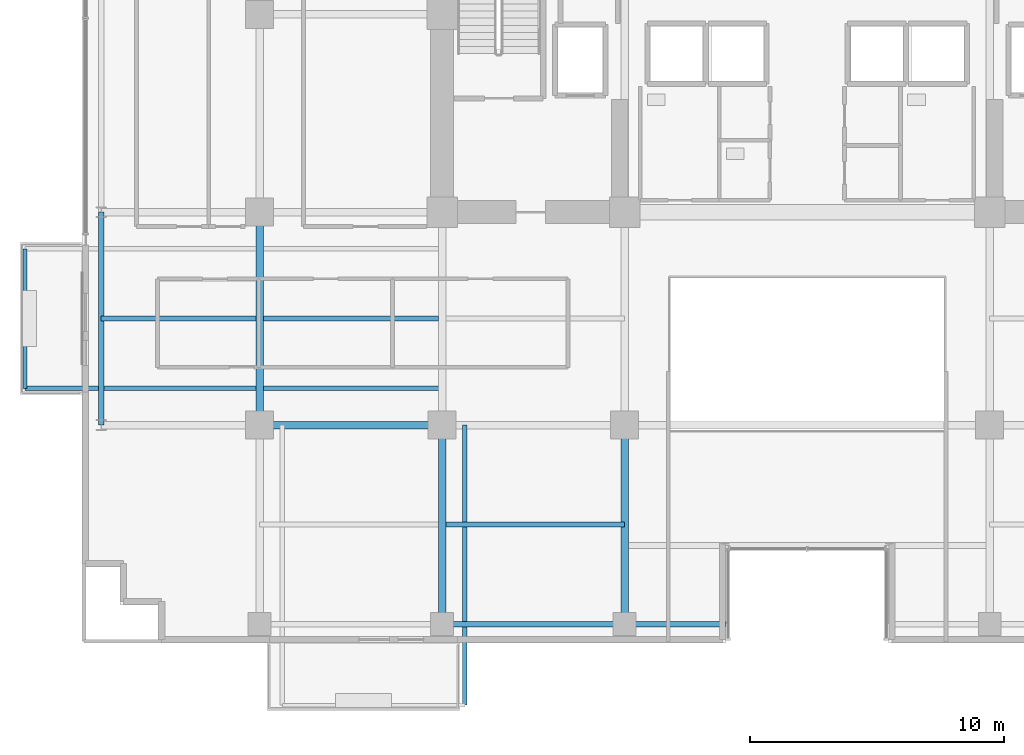
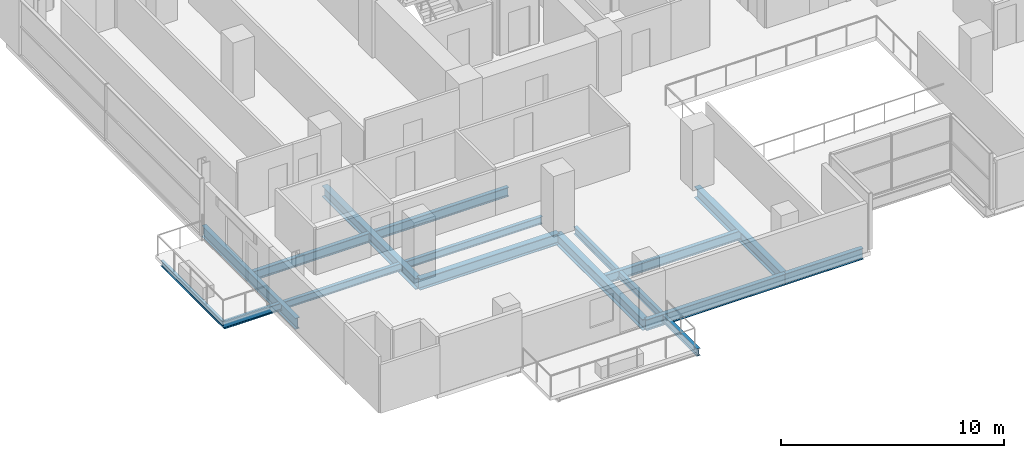
# One storey, part 2 of 31: 13 beams.
"""IFC4 building model written with IfcOpenShell, lengths in metres."""

from ifc_helpers import new_model, si_unit, direction, frame, origin, origin_2d, place, context, subcontext, project, spatial, i_section, extrude, material, material_profile, profile_set, type_object, element, save


model = new_model("IFC4")

# Units and contexts
model_context = context("Model", 3, precision=1e-05, world=origin(), true_north=direction((0.0, 1.0)))
body_context = subcontext(model_context, "Body", "Model", "MODEL_VIEW")
ifc_project = project(units=[si_unit("LENGTHUNIT", "METRE"), si_unit("AREAUNIT", "SQUARE_METRE"), si_unit("VOLUMEUNIT", "CUBIC_METRE"), si_unit("PLANEANGLEUNIT", "RADIAN"), si_unit("MASSUNIT", "GRAM", prefix="KILO")], contexts=[model_context])

# Site, building, storey
site_placement = place(None, origin())
site = spatial("IfcSite", under=ifc_project, at=site_placement, CompositionType="ELEMENT")
building_placement = place(site_placement, origin())
building = spatial("IfcBuilding", under=site, at=building_placement, Name="Zarnakvel Exchange Tower", CompositionType="ELEMENT")
storey_placement = place(building_placement, frame((0.0, 0.0, 67.0)))
storey = spatial("IfcBuildingStorey", under=building, at=storey_placement, Name="L18", CompositionType="ELEMENT", Elevation=67.0)

# Beams
ifc_material = material(Name="Steel S355", Category="steel")
ifc_material_profile_1 = material_profile(ifc_material, i_section(OverallWidth=0.199951171875, OverallDepth=0.5, WebThickness=0.01025390625, FlangeThickness=0.01611328125, FilletRadius=0.02099609375, at=origin_2d()))
ifc_profile_set_1 = profile_set([ifc_material_profile_1], Name="Steel S355")
beam_type_1 = type_object("IfcBeamType", Name="B-04", PredefinedType="JOIST", material=ifc_profile_set_1)
beam_1_placement = place(storey_placement, frame((-14.25, -13.52490234375, -0.47509765625), z_axis=(1.0, 0.0, 0.0), x_axis=(0.0, 1.0, 0.0)))
element("IfcBeam", 1, at=beam_1_placement, inside=storey, type_object=beam_type_1, Name="L18 Composite Floor Secondary Joist", PredefinedType="JOIST", context=body_context, shape_type="SweptSolid", body=[
    extrude(i_section(OverallWidth=0.199951171875, OverallDepth=0.5, WebThickness=0.01025390625, FlangeThickness=0.01611328125, FilletRadius=0.02099609375, at=origin_2d()), origin(), (0.0, 0.0, 1.0), 7.050048828125),
])
beam_2_placement = place(storey_placement, frame((-27.85009765625, -5.39990234375, -0.47509765625), z_axis=(1.0, 0.0, 0.0), x_axis=(0.0, 1.0, 0.0)))
element("IfcBeam", 2, at=beam_2_placement, inside=storey, type_object=beam_type_1, Name="L18 Composite Floor Secondary Joist", PredefinedType="JOIST", context=body_context, shape_type="SweptSolid", body=[
    extrude(i_section(OverallWidth=0.199951171875, OverallDepth=0.5, WebThickness=0.01025390625, FlangeThickness=0.01611328125, FilletRadius=0.02099609375, at=origin_2d()), origin(), (0.0, 0.0, 1.0), 6.10009765625),
])
beam_3_placement = place(storey_placement, frame((-21.449951171875, -5.39990234375, -0.47509765625), z_axis=(1.0, 0.0, 0.0), x_axis=(0.0, 1.0, 0.0)))
element("IfcBeam", 3, at=beam_3_placement, inside=storey, type_object=beam_type_1, Name="L18 Composite Floor Secondary Joist", PredefinedType="JOIST", context=body_context, shape_type="SweptSolid", body=[
    extrude(i_section(OverallWidth=0.199951171875, OverallDepth=0.5, WebThickness=0.01025390625, FlangeThickness=0.01611328125, FilletRadius=0.02099609375, at=origin_2d()), origin(), (0.0, 0.0, 1.0), 6.89990234375),
])
ifc_material_profile_2 = material_profile(ifc_material, i_section(OverallWidth=0.179931640625, OverallDepth=0.39990234375, WebThickness=0.008544921875, FlangeThickness=0.013427734375, FilletRadius=0.02099609375, at=origin_2d()))
ifc_profile_set_2 = profile_set([ifc_material_profile_2], Name="Steel S355")
beam_type_2 = type_object("IfcBeamType", Name="B-06", PredefinedType="JOIST", material=ifc_profile_set_2)
beam_4_placement = place(storey_placement, frame((-13.5, -9.60009765625, -0.425048828125), z_axis=(0.0, -1.0, 0.0), x_axis=(1.0, 0.0, 0.0)))
element("IfcBeam", 4, at=beam_4_placement, inside=storey, type_object=beam_type_2, Name="L18 Continuous Back-Spanned Balcony Beam E", PredefinedType="JOIST", context=body_context, shape_type="SweptSolid", body=[
    extrude(i_section(OverallWidth=0.179931640625, OverallDepth=0.39990234375, WebThickness=0.008544921875, FlangeThickness=0.013427734375, FilletRadius=0.02099609375, at=origin_2d()), origin(), (0.0, 0.0, 1.0), 11.0498046875),
])
beam_5_placement = place(storey_placement, frame((-14.39990234375, -8.14990234375, -0.425048828125), z_axis=(-1.0, 0.0, 0.0), x_axis=(0.0, -1.0, 0.0)))
element("IfcBeam", 5, at=beam_5_placement, inside=storey, type_object=beam_type_2, Name="L18 Continuous West Loggia Beam S", PredefinedType="JOIST", context=body_context, shape_type="SweptSolid", body=[
    extrude(i_section(OverallWidth=0.179931640625, OverallDepth=0.39990234375, WebThickness=0.008544921875, FlangeThickness=0.013427734375, FilletRadius=0.02099609375, at=origin_2d()), origin(), (0.0, 0.0, 1.0), 16.4501953125),
])
ifc_material_profile_3 = material_profile(ifc_material, i_section(OverallWidth=0.14990234375, OverallDepth=0.300048828125, WebThickness=0.007080078125, FlangeThickness=0.0107421875, FilletRadius=0.014892578125, at=origin_2d()))
ifc_profile_set_3 = profile_set([ifc_material_profile_3], Name="Steel S355")
beam_type_3 = type_object("IfcBeamType", Name="B-08", PredefinedType="JOIST", material=ifc_profile_set_3)
beam_6_placement = place(storey_placement, frame((-30.85009765625, -8.14990234375, -0.375), z_axis=(0.0, 1.0, 0.0), x_axis=(-1.0, 0.0, 0.0)))
element("IfcBeam", 6, at=beam_6_placement, inside=storey, type_object=beam_type_3, Name="L18 West Loggia Edge Beam", PredefinedType="JOIST", context=body_context, shape_type="SweptSolid", body=[
    extrude(i_section(OverallWidth=0.14990234375, OverallDepth=0.300048828125, WebThickness=0.007080078125, FlangeThickness=0.0107421875, FilletRadius=0.014892578125, at=origin_2d()), origin(), (0.0, 0.0, 1.0), 5.5),
])
ifc_material_profile_4 = material_profile(ifc_material, i_section(OverallWidth=0.300048828125, OverallDepth=0.60009765625, WebThickness=0.015380859375, FlangeThickness=0.030029296875, FilletRadius=0.027099609375, at=origin_2d()))
ifc_profile_set_4 = profile_set([ifc_material_profile_4], Name="Steel S355")
beam_type_4 = type_object("IfcBeamType", Name="G-04", PredefinedType="BEAM", material=ifc_profile_set_4)
beam_7_placement = place(storey_placement, frame((-21.60009765625, -9.60009765625, -0.52490234375), z_axis=(1.0, 0.0, 0.0), x_axis=(0.0, 1.0, 0.0)))
element("IfcBeam", 7, at=beam_7_placement, inside=storey, type_object=beam_type_4, Name="L18 Tower E-W Frame Beam", PredefinedType="BEAM", context=body_context, shape_type="SweptSolid", body=[
    extrude(i_section(OverallWidth=0.300048828125, OverallDepth=0.60009765625, WebThickness=0.015380859375, FlangeThickness=0.030029296875, FilletRadius=0.027099609375, at=origin_2d()), origin(), (0.0, 0.0, 1.0), 7.2001953125),
])
beam_8_placement = place(storey_placement, frame((-21.60009765625, -9.60009765625, -0.52490234375), z_axis=(0.0, 1.0, 0.0), x_axis=(-1.0, 0.0, 0.0)))
element("IfcBeam", 8, at=beam_8_placement, inside=storey, type_object=beam_type_4, Name="L18 Tower N-S Frame Beam", PredefinedType="BEAM", context=body_context, shape_type="SweptSolid", body=[
    extrude(i_section(OverallWidth=0.300048828125, OverallDepth=0.60009765625, WebThickness=0.015380859375, FlangeThickness=0.030029296875, FilletRadius=0.027099609375, at=origin_2d()), origin(), (0.0, 0.0, 1.0), 8.400146484375),
])
for number, where, z_axis, x_axis, name in (
    (9, (-14.39990234375, -17.449951171875, -0.52490234375), (0.0, 1.0, 0.0), (-1.0, 0.0, 0.0), "L18 Tower N-S Frame Beam"),
    (10, (-7.199951171875, -17.449951171875, -0.52490234375), (0.0, 1.0, 0.0), (-1.0, 0.0, 0.0), "L18 Tower N-S Frame Beam"),
):
    element("IfcBeam", number, at=place(storey_placement, frame(where, z_axis=z_axis, x_axis=x_axis)), inside=storey, type_object=beam_type_4, Name=name, PredefinedType="BEAM", context=body_context, shape_type="SweptSolid", body=[
        extrude(i_section(OverallWidth=0.300048828125, OverallDepth=0.60009765625, WebThickness=0.015380859375, FlangeThickness=0.030029296875, FilletRadius=0.027099609375, at=origin_2d()), origin(), (0.0, 0.0, 1.0), 7.849853515625),
    ])
ifc_material_profile_5 = material_profile(ifc_material, i_section(OverallWidth=0.219970703125, OverallDepth=0.60009765625, WebThickness=0.011962890625, FlangeThickness=0.01904296875, FilletRadius=0.02392578125, at=origin_2d()))
ifc_profile_set_5 = profile_set([ifc_material_profile_5], Name="Steel S355")
beam_type_5 = type_object("IfcBeamType", Name="SP-01", PredefinedType="SPANDREL", material=ifc_profile_set_5)
beam_9_placement = place(storey_placement, frame((-14.39990234375, -17.449951171875, -0.52490234375), z_axis=(1.0, 0.0, 0.0), x_axis=(0.0, 1.0, 0.0)))
element("IfcBeam", 11, at=beam_9_placement, inside=storey, type_object=beam_type_5, Name="L18 Tower E-W Frame Beam", PredefinedType="SPANDREL", context=body_context, shape_type="SweptSolid", body=[
    extrude(i_section(OverallWidth=0.219970703125, OverallDepth=0.60009765625, WebThickness=0.011962890625, FlangeThickness=0.01904296875, FilletRadius=0.02392578125, at=origin_2d()), origin(), (0.0, 0.0, 1.0), 7.199951171875),
])
beam_10_placement = place(storey_placement, frame((-7.199951171875, -17.449951171875, -0.52490234375), z_axis=(1.0, 0.0, 0.0), x_axis=(0.0, 1.0, 0.0)))
element("IfcBeam", 12, at=beam_10_placement, inside=storey, type_object=beam_type_5, Name="L18 South Slot West Jamb Spandrel", PredefinedType="SPANDREL", context=body_context, shape_type="SweptSolid", body=[
    extrude(i_section(OverallWidth=0.219970703125, OverallDepth=0.60009765625, WebThickness=0.011962890625, FlangeThickness=0.01904296875, FilletRadius=0.02392578125, at=origin_2d()), origin(), (0.0, 0.0, 1.0), 4.0),
])
beam_11_placement = place(storey_placement, frame((-27.85009765625, -9.60009765625, -0.52490234375), z_axis=(0.0, 1.0, 0.0), x_axis=(-1.0, 0.0, 0.0)))
element("IfcBeam", 13, at=beam_11_placement, inside=storey, type_object=beam_type_5, Name="L18 Tower N-S Frame Beam", PredefinedType="SPANDREL", context=body_context, shape_type="SweptSolid", body=[
    extrude(i_section(OverallWidth=0.219970703125, OverallDepth=0.60009765625, WebThickness=0.011962890625, FlangeThickness=0.01904296875, FilletRadius=0.02392578125, at=origin_2d()), origin(), (0.0, 0.0, 1.0), 8.400146484375),
])

save(model, "model.ifc")
